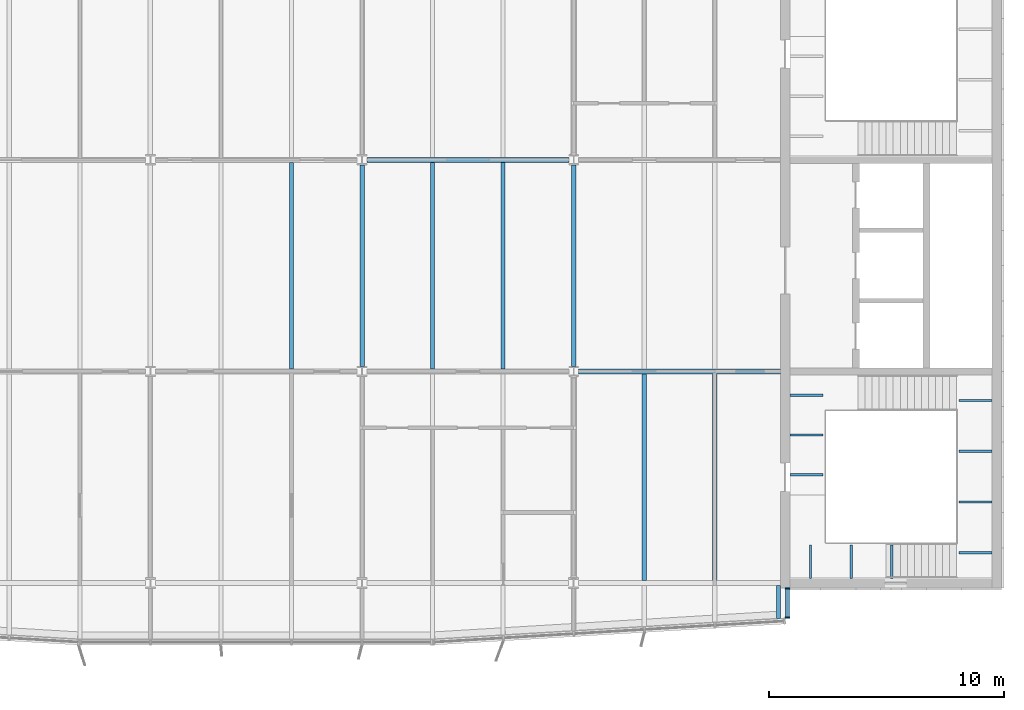
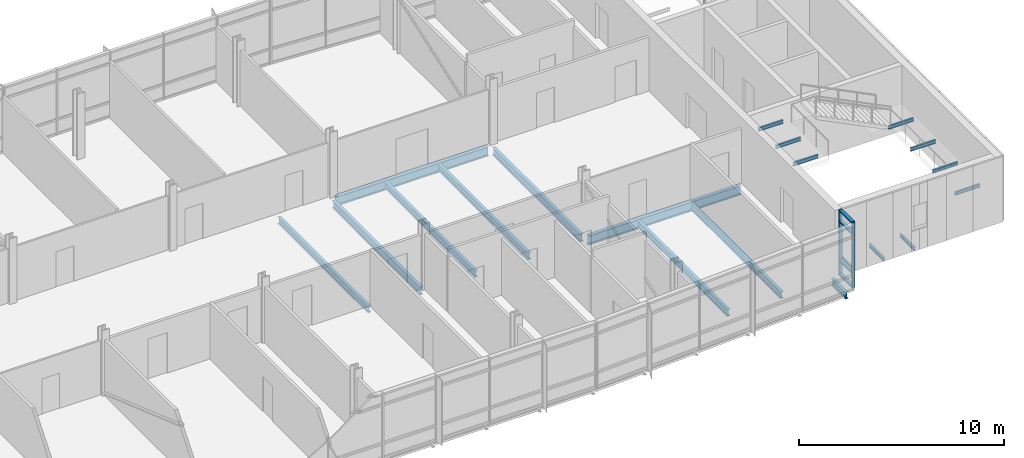
# One storey, part 6 of 17: 20 beams, 6 members, 1 element without a shape of its own.
"""IFC4 building model written with IfcOpenShell, lengths in metres."""

from ifc_helpers import new_model, si_unit, direction, frame, origin, origin_2d, place, context, subcontext, project, spatial, rectangle, i_section, extrude, material, material_profile, profile_set, type_object, element, aggregate, save


model = new_model("IFC4")

# Units and contexts
model_context = context("Model", 3, precision=1e-05, world=origin(), true_north=direction((0.0, 1.0)))
body_context = subcontext(model_context, "Body", "Model", "MODEL_VIEW")
ifc_project = project(units=[si_unit("LENGTHUNIT", "METRE"), si_unit("AREAUNIT", "SQUARE_METRE"), si_unit("VOLUMEUNIT", "CUBIC_METRE"), si_unit("PLANEANGLEUNIT", "RADIAN"), si_unit("MASSUNIT", "GRAM", prefix="KILO")], contexts=[model_context])

# Site, building, storey
site_placement = place(None, origin())
site = spatial("IfcSite", under=ifc_project, at=site_placement, CompositionType="ELEMENT")
building_placement = place(site_placement, origin())
building = spatial("IfcBuilding", under=site, at=building_placement, Name="Azimuth Sports and Learning Centre", CompositionType="ELEMENT")
storey_placement = place(building_placement, frame((0.0, 0.0, 36.300048828125)))
storey = spatial("IfcBuildingStorey", under=building, at=storey_placement, Name="L07", CompositionType="ELEMENT", Elevation=36.300048828125)

# Beams
ifc_material_1 = material(Name="Steel S355", Category="steel")
ifc_material_profile_1 = material_profile(ifc_material_1, i_section(OverallWidth=0.10009765625, OverallDepth=0.199951171875, WebThickness=0.005615234375, FlangeThickness=0.008544921875, FilletRadius=0.011962890625, at=origin_2d()), Name="IPE 200")
ifc_profile_set_1 = profile_set([ifc_material_profile_1], Name="Steel S355")
beam_type_1 = type_object("IfcBeamType", Name="Beam IPE 200", PredefinedType="BEAM", material=ifc_profile_set_1)
for number, where, z_axis, x_axis, name in (
    (1, (109.0732421875, 90.199951171875, -0.300048828125), (0.0, 1.0, 0.0), (-1.0, 0.0, 0.0), "Landing bracket E1 L07 425"),
    (2, (110.800048828125, 90.199951171875, -0.300048828125), (0.0, 1.0, 0.0), (-1.0, 0.0, 0.0), "Landing bracket E1 L07 426"),
    (3, (112.526611328125, 90.199951171875, -0.300048828125), (0.0, 1.0, 0.0), (-1.0, 0.0, 0.0), "Landing bracket E1 L07 427"),
    (4, (116.800048828125, 91.288818359375, 1.349853515625), (-1.0, 0.0, 0.0), (0.0, -1.0, 0.0), "Landing bracket E1 L07 428"),
    (5, (116.800048828125, 93.4462890625, 1.349853515625), (-1.0, 0.0, 0.0), (0.0, -1.0, 0.0), "Landing bracket E1 L07 429"),
    (6, (116.800048828125, 95.603759765625, 1.349853515625), (-1.0, 0.0, 0.0), (0.0, -1.0, 0.0), "Landing bracket E1 L07 430"),
    (7, (116.800048828125, 97.76123046875, 1.349853515625), (-1.0, 0.0, 0.0), (0.0, -1.0, 0.0), "Landing bracket E1 L07 431"),
    (8, (108.199951171875, 94.598388671875, 3.599853515625), (1.0, 0.0, 0.0), (0.0, 1.0, 0.0), "Landing bracket E1 L07 432"),
    (9, (108.199951171875, 96.294921875, 3.599853515625), (1.0, 0.0, 0.0), (0.0, 1.0, 0.0), "Landing bracket E1 L07 433"),
    (10, (108.199951171875, 97.99169921875, 3.599853515625), (1.0, 0.0, 0.0), (0.0, 1.0, 0.0), "Landing bracket E1 L07 434"),
):
    element("IfcBeam", number, at=place(storey_placement, frame(where, z_axis=z_axis, x_axis=x_axis)), inside=storey, type_object=beam_type_1, Name=name, PredefinedType="BEAM", context=body_context, shape_type="SweptSolid", body=[
        extrude(i_section(OverallWidth=0.10009765625, OverallDepth=0.199951171875, WebThickness=0.005615234375, FlangeThickness=0.008544921875, FilletRadius=0.011962890625, at=origin_2d()), origin(), (0.0, 0.0, 1.0), 1.41015625),
    ])
ifc_material_2 = material(Name="Steel S355", Category="steel")
ifc_material_profile_2 = material_profile(ifc_material_2, i_section(OverallWidth=0.18994140625, OverallDepth=0.449951171875, WebThickness=0.009521484375, FlangeThickness=0.0146484375, FilletRadius=0.02099609375, at=origin_2d()), Name="IPE 450")
ifc_profile_set_2 = profile_set([ifc_material_profile_2], Name="Steel S355")
beam_type_2 = type_object("IfcBeamType", Name="Beam IPE 450", PredefinedType="BEAM", material=ifc_profile_set_2)
for number, where, z_axis, x_axis, name in (
    (11, (90.0, 99.217529296875, -0.35498046875), (0.0, 1.0, 0.0), (-1.0, 0.0, 0.0), "Tower tie"),
    (12, (99.0, 99.217529296875, -0.35498046875), (0.0, 1.0, 0.0), (-1.0, 0.0, 0.0), "Tower tie"),
):
    element("IfcBeam", number, at=place(storey_placement, frame(where, z_axis=z_axis, x_axis=x_axis)), inside=storey, type_object=beam_type_2, Name=name, PredefinedType="BEAM", context=body_context, shape_type="SweptSolid", body=[
        extrude(i_section(OverallWidth=0.18994140625, OverallDepth=0.449951171875, WebThickness=0.009521484375, FlangeThickness=0.0146484375, FilletRadius=0.02099609375, at=origin_2d()), origin(), (0.0, 0.0, 1.0), 8.56494140625),
    ])
ifc_material_3 = material(Name="Steel S355", Category="steel")
ifc_material_profile_3 = material_profile(ifc_material_3, i_section(OverallWidth=0.2099609375, OverallDepth=0.550048828125, WebThickness=0.010986328125, FlangeThickness=0.01708984375, FilletRadius=0.02392578125, at=origin_2d()), Name="IPE 550")
ifc_profile_set_3 = profile_set([ifc_material_profile_3], Name="Steel S355")
beam_type_3 = type_object("IfcBeamType", Name="Beam IPE 550", PredefinedType="BEAM", material=ifc_profile_set_3)
beam_1_placement = place(storey_placement, frame((99.2060546875, 99.0, -0.405029296875), z_axis=(1.0, 0.0, 0.0), x_axis=(0.0, 1.0, 0.0)))
element("IfcBeam", 13, at=beam_1_placement, inside=storey, type_object=beam_type_3, Name="Tower girder L07", PredefinedType="BEAM", context=body_context, shape_type="SweptSolid", body=[
    extrude(i_section(OverallWidth=0.2099609375, OverallDepth=0.550048828125, WebThickness=0.010986328125, FlangeThickness=0.01708984375, FilletRadius=0.02392578125, at=origin_2d()), origin(), (0.0, 0.0, 1.0), 8.593994140625),
])
beam_2_placement = place(storey_placement, frame((90.2060546875, 108.0, -0.405029296875), z_axis=(1.0, 0.0, 0.0), x_axis=(0.0, 1.0, 0.0)))
element("IfcBeam", 14, at=beam_2_placement, inside=storey, type_object=beam_type_3, Name="Tower girder L07", PredefinedType="BEAM", context=body_context, shape_type="SweptSolid", body=[
    extrude(i_section(OverallWidth=0.2099609375, OverallDepth=0.550048828125, WebThickness=0.010986328125, FlangeThickness=0.01708984375, FilletRadius=0.02392578125, at=origin_2d()), origin(), (0.0, 0.0, 1.0), 8.587890625),
])
ifc_material_4 = material(Name="Steel S355", Category="steel")
ifc_material_profile_4 = material_profile(ifc_material_4, i_section(OverallWidth=0.179931640625, OverallDepth=0.39990234375, WebThickness=0.008544921875, FlangeThickness=0.013427734375, FilletRadius=0.02099609375, at=origin_2d()), Name="IPE 400")
ifc_profile_set_4 = profile_set([ifc_material_profile_4], Name="Steel S355")
beam_type_4 = type_object("IfcBeamType", Name="Cantilever stub IPE 400", PredefinedType="JOIST", material=ifc_profile_set_4)
beam_3_placement = place(storey_placement, frame((107.7099609375, 89.89501953125, -0.330078125), z_axis=(0.0, -1.0, 0.0), x_axis=(1.0, 0.0, 0.0)))
element("IfcBeam", 15, at=beam_3_placement, inside=storey, type_object=beam_type_4, Name="Tower cantilever stub", PredefinedType="JOIST", context=body_context, shape_type="SweptSolid", body=[
    extrude(i_section(OverallWidth=0.179931640625, OverallDepth=0.39990234375, WebThickness=0.008544921875, FlangeThickness=0.013427734375, FilletRadius=0.02099609375, at=origin_2d()), origin(), (0.0, 0.0, 1.0), 1.392333984375),
])
ifc_material_5 = material(Name="Steel S355", Category="steel")
ifc_material_profile_5 = material_profile(ifc_material_5, i_section(OverallWidth=0.179931640625, OverallDepth=0.39990234375, WebThickness=0.008544921875, FlangeThickness=0.013427734375, FilletRadius=0.02099609375, at=origin_2d()), Name="IPE 400")
ifc_profile_set_5 = profile_set([ifc_material_profile_5], Name="Steel S355")
beam_type_5 = type_object("IfcBeamType", Name="Joist IPE 400", PredefinedType="JOIST", material=ifc_profile_set_5)
for number, where, z_axis, x_axis, name in (
    (16, (87.0, 99.10498046875, -0.330078125), (0.0, 1.0, 0.0), (-1.0, 0.0, 0.0), "Tower joist"),
    (17, (93.0, 99.10498046875, -0.330078125), (0.0, 1.0, 0.0), (-1.0, 0.0, 0.0), "Tower joist"),
    (18, (96.0, 99.10498046875, -0.330078125), (0.0, 1.0, 0.0), (-1.0, 0.0, 0.0), "Tower joist"),
    (19, (102.0, 90.10498046875, -0.330078125), (0.0, 1.0, 0.0), (-1.0, 0.0, 0.0), "Tower joist"),
    (20, (105.0, 90.10498046875, -0.330078125), (0.0, 1.0, 0.0), (-1.0, 0.0, 0.0), "Tower joist"),
):
    element("IfcBeam", number, at=place(storey_placement, frame(where, z_axis=z_axis, x_axis=x_axis)), inside=storey, type_object=beam_type_5, Name=name, PredefinedType="JOIST", context=body_context, shape_type="SweptSolid", body=[
        extrude(i_section(OverallWidth=0.179931640625, OverallDepth=0.39990234375, WebThickness=0.008544921875, FlangeThickness=0.013427734375, FilletRadius=0.02099609375, at=origin_2d()), origin(), (0.0, 0.0, 1.0), 8.7900390625),
    ])

# Curtain wall, members
ifc_material_6 = material(Name="Aluminium and glass", Category="aluminium")
curtain_wall_type = type_object("IfcCurtainWallType", Name="Curtain wall tower return 180", PredefinedType="NOTDEFINED", material=ifc_material_6)
curtain_wall_placement = place(storey_placement, origin())
curtain_wall = element("IfcCurtainWall", 21, at=curtain_wall_placement, inside=storey, type_object=curtain_wall_type, Name="Curtain wall CW07-005", PredefinedType="NOTDEFINED")
ifc_material_7 = material(Name="Aluminium", Category="aluminium")
ifc_material_profile_6 = material_profile(ifc_material_7, rectangle(XDim=0.179931640625, YDim=0.06005859375, at=origin_2d()), Name="Mullion 60x180")
ifc_profile_set_6 = profile_set([ifc_material_profile_6], Name="Aluminium")
member_type_1 = type_object("IfcMemberType", Name="Mullion 60x180", PredefinedType="MULLION", material=ifc_profile_set_6)
member_1_placement = place(storey_placement, frame((108.090087890625, 88.530029296875, 0.0), z_axis=(0.0, 0.0, 1.0), x_axis=(-1.0, 0.0, 0.0)))
member_1 = element("IfcMember", 22, at=member_1_placement, type_object=member_type_1, Name="CW07-005 mullion 1", PredefinedType="MULLION", context=body_context, shape_type="SweptSolid", body=[
    extrude(rectangle(XDim=0.179931640625, YDim=0.06005859375, at=origin_2d()), origin(), (0.0, 0.0, 1.0), 3.89990234375),
])
member_2_placement = place(storey_placement, frame((108.090087890625, 89.77001953125, 0.0), z_axis=(0.0, 0.0, 1.0), x_axis=(-1.0, 0.0, 0.0)))
member_2 = element("IfcMember", 23, at=member_2_placement, type_object=member_type_1, Name="CW07-005 mullion 2", PredefinedType="MULLION", context=body_context, shape_type="SweptSolid", body=[
    extrude(rectangle(XDim=0.179931640625, YDim=0.06005859375, at=origin_2d()), origin(), (0.0, 0.0, 1.0), 3.89990234375),
])
ifc_material_8 = material(Name="Aluminium", Category="aluminium")
ifc_material_profile_7 = material_profile(ifc_material_8, rectangle(XDim=0.179931640625, YDim=0.10009765625, at=origin_2d()), Name="Transom 100x180")
ifc_profile_set_7 = profile_set([ifc_material_profile_7], Name="Aluminium")
member_type_2 = type_object("IfcMemberType", Name="Transom 100x180", PredefinedType="USERDEFINED", material=ifc_profile_set_7)
member_3_placement = place(storey_placement, frame((108.090087890625, 88.56005859375, 0.050048828125), z_axis=(0.0, 1.0, 0.0), x_axis=(-1.0, 0.0, 0.0)))
member_3 = element("IfcMember", 24, at=member_3_placement, type_object=member_type_2, Name="CW07-005 transom 1.1", ObjectType="TRANSOM", PredefinedType="USERDEFINED", context=body_context, shape_type="SweptSolid", body=[
    extrude(rectangle(XDim=0.179931640625, YDim=0.10009765625, at=origin_2d()), origin(), (0.0, 0.0, 1.0), 1.179931640625),
])
member_4_placement = place(storey_placement, frame((108.090087890625, 88.56005859375, 0.89990234375), z_axis=(0.0, 1.0, 0.0), x_axis=(-1.0, 0.0, 0.0)))
member_4 = element("IfcMember", 25, at=member_4_placement, type_object=member_type_2, Name="CW07-005 transom 1.2", ObjectType="TRANSOM", PredefinedType="USERDEFINED", context=body_context, shape_type="SweptSolid", body=[
    extrude(rectangle(XDim=0.179931640625, YDim=0.10009765625, at=origin_2d()), origin(), (0.0, 0.0, 1.0), 1.179931640625),
])
member_5_placement = place(storey_placement, frame((108.090087890625, 88.56005859375, 3.199951171875), z_axis=(0.0, 1.0, 0.0), x_axis=(-1.0, 0.0, 0.0)))
member_5 = element("IfcMember", 26, at=member_5_placement, type_object=member_type_2, Name="CW07-005 transom 1.3", ObjectType="TRANSOM", PredefinedType="USERDEFINED", context=body_context, shape_type="SweptSolid", body=[
    extrude(rectangle(XDim=0.179931640625, YDim=0.10009765625, at=origin_2d()), origin(), (0.0, 0.0, 1.0), 1.179931640625),
])
member_6_placement = place(storey_placement, frame((108.090087890625, 88.56005859375, 3.849853515625), z_axis=(0.0, 1.0, 0.0), x_axis=(-1.0, 0.0, 0.0)))
member_6 = element("IfcMember", 27, at=member_6_placement, type_object=member_type_2, Name="CW07-005 transom 1.4", ObjectType="TRANSOM", PredefinedType="USERDEFINED", context=body_context, shape_type="SweptSolid", body=[
    extrude(rectangle(XDim=0.179931640625, YDim=0.10009765625, at=origin_2d()), origin(), (0.0, 0.0, 1.0), 1.179931640625),
])
aggregate(curtain_wall, [member_1, member_2, member_3, member_4, member_5, member_6])

save(model, "model.ifc")
